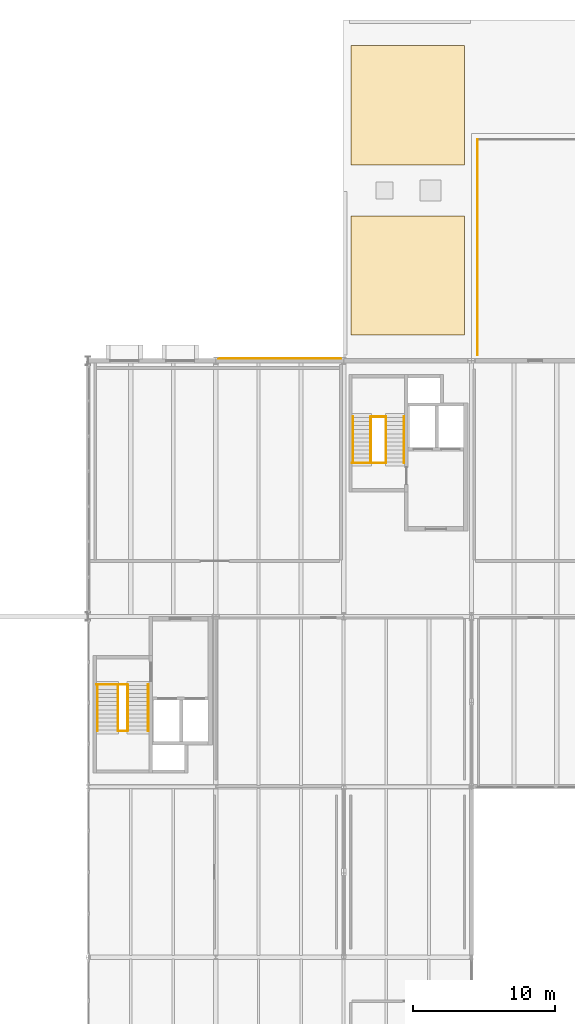
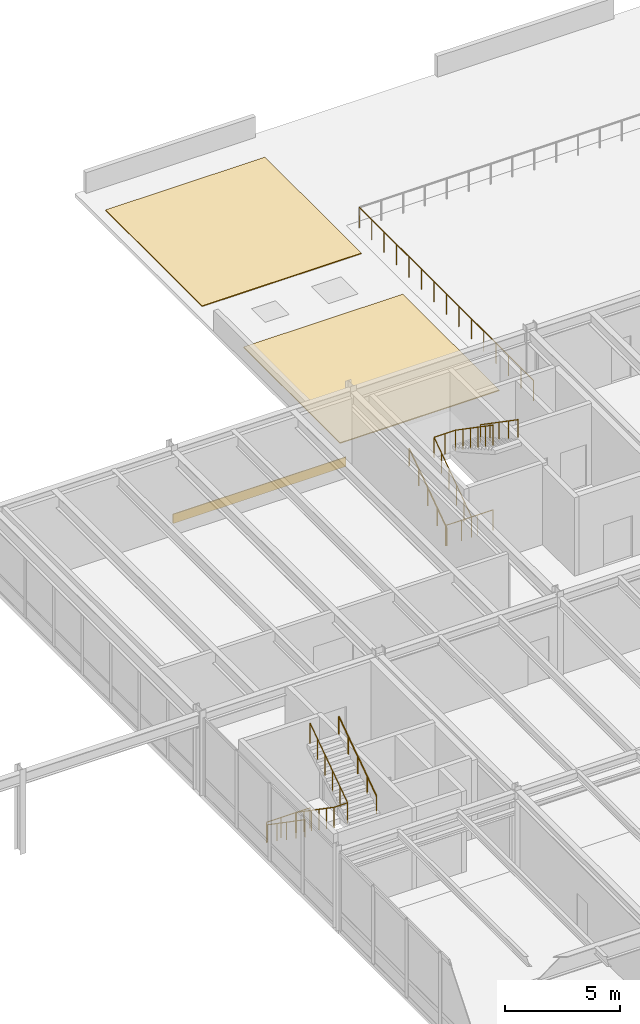
# One storey, part 114 of 115: 13 railings, 3 coverings.
"""IFC4 building model written with IfcOpenShell, lengths in metres."""

from ifc_helpers import new_model, si_unit, direction, frame, origin, origin_2d, place, context, subcontext, project, spatial, polyline, rectangle, circle, outline, extrude, material, layer, layer_set, type_object, element, save


model = new_model("IFC4")

# Units and contexts
model_context = context("Model", 3, precision=1e-05, world=origin(), true_north=direction((0.0, 1.0)))
body_context = subcontext(model_context, "Body", "Model", "MODEL_VIEW")
ifc_project = project(units=[si_unit("LENGTHUNIT", "METRE"), si_unit("AREAUNIT", "SQUARE_METRE"), si_unit("VOLUMEUNIT", "CUBIC_METRE"), si_unit("PLANEANGLEUNIT", "RADIAN"), si_unit("MASSUNIT", "GRAM", prefix="KILO")], contexts=[model_context])

# Site, building, storey
site_placement = place(None, origin())
site = spatial("IfcSite", under=ifc_project, at=site_placement, CompositionType="ELEMENT")
building_placement = place(site_placement, origin())
building = spatial("IfcBuilding", under=site, at=building_placement, Name="Montelvaro Courts of Justice", CompositionType="ELEMENT")
storey_placement = place(building_placement, frame((0.0, 0.0, 9.89990234375)))
storey = spatial("IfcBuildingStorey", under=building, at=storey_placement, Name="L02", CompositionType="ELEMENT", Elevation=9.89990234375)

# Covering
ifc_material_1 = material(Name="White mineral precast concrete C45/55", Category="concrete")
ifc_layer_1 = layer(ifc_material_1, 0.0400390625)
ifc_layer_set_1 = layer_set([ifc_layer_1], Name="White mineral precast concrete C45/55")
covering_type_1 = type_object("IfcCoveringType", Name="BarCladding_GFRC", PredefinedType="CLADDING", material=ifc_layer_set_1)
covering_1_placement = place(storey_placement, frame((112.5, 96.162109375, 0.030029296875), z_axis=(0.0, 0.0, 1.0), x_axis=(-1.0, 0.0, 0.0)))
element("IfcCovering", 1, at=covering_1_placement, inside=storey, type_object=covering_type_1, Name="Horizontal White Bar Spandrel Cladding CL-01-011", PredefinedType="CLADDING", context=body_context, shape_type="SweptSolid", body=[
    extrude(rectangle(XDim=8.68408203125, YDim=0.0400390625, at=origin_2d()), origin(), (0.0, 0.0, 1.0), 0.5),
])

# Railings
ifc_material_2 = material(Name="Steel S355", Category="steel")
railing_type_1 = type_object("IfcRailingType", Name="InteriorGuard_1100", PredefinedType="BALUSTRADE", material=ifc_material_2)
railing_1_placement = place(storey_placement, frame((117.60009765625, 88.800048828125, 0.0)))
element("IfcRailing", 2, at=railing_1_placement, inside=storey, type_object=railing_type_1, Name="Stair Well Guard GR-02 ST-K3-L01-TLG", PredefinedType="BALUSTRADE", context=body_context, shape_type="SweptSolid", body=[
    extrude(circle(Radius=0.02392578125, at=origin_2d()), frame((0.0, 0.0, 1.076171875), z_axis=(1.0, 0.0, 0.0), x_axis=(0.0, 1.0, 0.0)), (0.0, 0.0, 1.0), 2.389892578125),
    extrude(circle(Radius=0.02099609375, at=origin_2d()), origin(), (0.0, 0.0, 1.0), 1.052001953125),
    extrude(circle(Radius=0.02099609375, at=origin_2d()), frame((0.796630859375, 0.0, 0.0)), (0.0, 0.0, 1.0), 1.052001953125),
    extrude(circle(Radius=0.02099609375, at=origin_2d()), frame((1.59326171875, 0.0, 0.0)), (0.0, 0.0, 1.0), 1.052001953125),
    extrude(circle(Radius=0.02099609375, at=origin_2d()), frame((2.389892578125, 0.0, 0.0)), (0.0, 0.0, 1.0), 1.052001953125),
])
railing_2_placement = place(storey_placement, frame((118.909912109375, 88.800048828125, 0.0)))
element("IfcRailing", 3, at=railing_2_placement, inside=storey, type_object=railing_type_1, Name="Stair Well Guard GR-02 ST-K3-L02-F1G", PredefinedType="BALUSTRADE", context=body_context, shape_type="SweptSolid", body=[
    extrude(circle(Radius=0.02392578125, at=origin_2d()), frame((0.0, 0.0, 1.076171875), z_axis=(0.0, 0.823407228882, 0.567450910146), x_axis=(-1.0, 0.0, 0.0)), (0.0, 0.0, 1.0), 3.965087890625),
    extrude(circle(Radius=0.02099609375, at=origin_2d()), origin(), (0.0, 0.0, 1.0), 1.052001953125),
    extrude(circle(Radius=0.02099609375, at=origin_2d()), frame((0.0, 0.653076171875, 0.449951171875)), (0.0, 0.0, 1.0), 1.052001953125),
    extrude(circle(Radius=0.02099609375, at=origin_2d()), frame((0.0, 1.305908203125, 0.89990234375)), (0.0, 0.0, 1.0), 1.052001953125),
    extrude(circle(Radius=0.02099609375, at=origin_2d()), frame((0.0, 1.958984375, 1.35009765625)), (0.0, 0.0, 1.0), 1.052001953125),
    extrude(circle(Radius=0.02099609375, at=origin_2d()), frame((0.0, 2.61181640625, 1.800048828125)), (0.0, 0.0, 1.0), 1.052001953125),
    extrude(circle(Radius=0.02099609375, at=origin_2d()), frame((0.0, 3.264892578125, 2.25)), (0.0, 0.0, 1.0), 1.052001953125),
])
railing_3_placement = place(storey_placement, frame((119.989990234375, 92.06494140625, 2.25)))
element("IfcRailing", 4, at=railing_3_placement, inside=storey, type_object=railing_type_1, Name="Stair Well Guard GR-02 ST-K3-L02-F2G", PredefinedType="BALUSTRADE", context=body_context, shape_type="SweptSolid", body=[
    extrude(circle(Radius=0.02392578125, at=origin_2d()), frame((0.0, 0.0, 1.076171875), z_axis=(0.0, -0.823407228882, 0.567450910146), x_axis=(1.0, 0.0, 0.0)), (0.0, 0.0, 1.0), 3.965087890625),
    extrude(circle(Radius=0.02099609375, at=origin_2d()), origin(), (0.0, 0.0, 1.0), 1.052001953125),
    extrude(circle(Radius=0.02099609375, at=origin_2d()), frame((0.0, -0.653076171875, 0.449951171875)), (0.0, 0.0, 1.0), 1.052001953125),
    extrude(circle(Radius=0.02099609375, at=origin_2d()), frame((0.0, -1.305908203125, 0.89990234375)), (0.0, 0.0, 1.0), 1.052001953125),
    extrude(circle(Radius=0.02099609375, at=origin_2d()), frame((0.0, -1.958984375, 1.35009765625)), (0.0, 0.0, 1.0), 1.052001953125),
    extrude(circle(Radius=0.02099609375, at=origin_2d()), frame((0.0, -2.61181640625, 1.800048828125)), (0.0, 0.0, 1.0), 1.052001953125),
    extrude(circle(Radius=0.02099609375, at=origin_2d()), frame((0.0, -3.264892578125, 2.25)), (0.0, 0.0, 1.0), 1.052001953125),
])
railing_4_placement = place(storey_placement, frame((118.909912109375, 92.06494140625, 2.25)))
element("IfcRailing", 5, at=railing_4_placement, inside=storey, type_object=railing_type_1, Name="Stair Well Guard GR-02 ST-K3-L02-MLG", PredefinedType="BALUSTRADE", context=body_context, shape_type="SweptSolid", body=[
    extrude(circle(Radius=0.02392578125, at=origin_2d()), frame((0.0, 0.0, 1.076171875), z_axis=(1.0, 0.0, 0.0), x_axis=(0.0, 1.0, 0.0)), (0.0, 0.0, 1.0), 1.080078125),
    extrude(circle(Radius=0.02099609375, at=origin_2d()), origin(), (0.0, 0.0, 1.0), 1.052001953125),
    extrude(circle(Radius=0.02099609375, at=origin_2d()), frame((0.5400390625, 0.0, 0.0)), (0.0, 0.0, 1.0), 1.052001953125),
    extrude(circle(Radius=0.02099609375, at=origin_2d()), frame((1.080078125, 0.0, 0.0)), (0.0, 0.0, 1.0), 1.052001953125),
])
railing_5_placement = place(storey_placement, frame((99.60009765625, 73.199951171875, 0.0)))
element("IfcRailing", 6, at=railing_5_placement, inside=storey, type_object=railing_type_1, Name="Stair Well Guard GR-02 ST-K4-L01-TLG", PredefinedType="BALUSTRADE", context=body_context, shape_type="SweptSolid", body=[
    extrude(circle(Radius=0.02392578125, at=origin_2d()), frame((0.0, 0.0, 1.076171875), z_axis=(1.0, 0.0, 0.0), x_axis=(0.0, 1.0, 0.0)), (0.0, 0.0, 1.0), 2.18994140625),
    extrude(circle(Radius=0.02099609375, at=origin_2d()), origin(), (0.0, 0.0, 1.0), 1.052001953125),
    extrude(circle(Radius=0.02099609375, at=origin_2d()), frame((0.72998046875, 0.0, 0.0)), (0.0, 0.0, 1.0), 1.052001953125),
    extrude(circle(Radius=0.02099609375, at=origin_2d()), frame((1.4599609375, 0.0, 0.0)), (0.0, 0.0, 1.0), 1.052001953125),
    extrude(circle(Radius=0.02099609375, at=origin_2d()), frame((2.18994140625, 0.0, 0.0)), (0.0, 0.0, 1.0), 1.052001953125),
])
railing_6_placement = place(storey_placement, frame((101.110107421875, 73.199951171875, 0.0)))
element("IfcRailing", 7, at=railing_6_placement, inside=storey, type_object=railing_type_1, Name="Stair Well Guard GR-02 ST-K4-L02-F1G", PredefinedType="BALUSTRADE", context=body_context, shape_type="SweptSolid", body=[
    extrude(circle(Radius=0.02392578125, at=origin_2d()), frame((0.0, 0.0, 1.076171875), z_axis=(0.0, -0.823407228882, 0.567450910146), x_axis=(1.0, 0.0, 0.0)), (0.0, 0.0, 1.0), 3.965087890625),
    extrude(circle(Radius=0.02099609375, at=origin_2d()), origin(), (0.0, 0.0, 1.0), 1.052001953125),
    extrude(circle(Radius=0.02099609375, at=origin_2d()), frame((0.0, -0.653076171875, 0.449951171875)), (0.0, 0.0, 1.0), 1.052001953125),
    extrude(circle(Radius=0.02099609375, at=origin_2d()), frame((0.0, -1.305908203125, 0.89990234375)), (0.0, 0.0, 1.0), 1.052001953125),
    extrude(circle(Radius=0.02099609375, at=origin_2d()), frame((0.0, -1.958984375, 1.35009765625)), (0.0, 0.0, 1.0), 1.052001953125),
    extrude(circle(Radius=0.02099609375, at=origin_2d()), frame((0.0, -2.61181640625, 1.800048828125)), (0.0, 0.0, 1.0), 1.052001953125),
    extrude(circle(Radius=0.02099609375, at=origin_2d()), frame((0.0, -3.264892578125, 2.25)), (0.0, 0.0, 1.0), 1.052001953125),
])
railing_7_placement = place(storey_placement, frame((101.7900390625, 69.93505859375, 2.25)))
element("IfcRailing", 8, at=railing_7_placement, inside=storey, type_object=railing_type_1, Name="Stair Well Guard GR-02 ST-K4-L02-F2G", PredefinedType="BALUSTRADE", context=body_context, shape_type="SweptSolid", body=[
    extrude(circle(Radius=0.02392578125, at=origin_2d()), frame((0.0, 0.0, 1.076171875), z_axis=(0.0, 0.823407228882, 0.567450910146), x_axis=(-1.0, 0.0, 0.0)), (0.0, 0.0, 1.0), 3.965087890625),
    extrude(circle(Radius=0.02099609375, at=origin_2d()), origin(), (0.0, 0.0, 1.0), 1.052001953125),
    extrude(circle(Radius=0.02099609375, at=origin_2d()), frame((0.0, 0.653076171875, 0.449951171875)), (0.0, 0.0, 1.0), 1.052001953125),
    extrude(circle(Radius=0.02099609375, at=origin_2d()), frame((0.0, 1.305908203125, 0.89990234375)), (0.0, 0.0, 1.0), 1.052001953125),
    extrude(circle(Radius=0.02099609375, at=origin_2d()), frame((0.0, 1.958984375, 1.35009765625)), (0.0, 0.0, 1.0), 1.052001953125),
    extrude(circle(Radius=0.02099609375, at=origin_2d()), frame((0.0, 2.61181640625, 1.800048828125)), (0.0, 0.0, 1.0), 1.052001953125),
    extrude(circle(Radius=0.02099609375, at=origin_2d()), frame((0.0, 3.264892578125, 2.25)), (0.0, 0.0, 1.0), 1.052001953125),
])
railing_8_placement = place(storey_placement, frame((101.110107421875, 69.93505859375, 2.25)))
element("IfcRailing", 9, at=railing_8_placement, inside=storey, type_object=railing_type_1, Name="Stair Well Guard GR-02 ST-K4-L02-MLG", PredefinedType="BALUSTRADE", context=body_context, shape_type="SweptSolid", body=[
    extrude(circle(Radius=0.02392578125, at=origin_2d()), frame((0.0, 0.0, 1.076171875), z_axis=(1.0, 0.0, 0.0), x_axis=(0.0, 1.0, 0.0)), (0.0, 0.0, 1.0), 0.679931640625),
    extrude(circle(Radius=0.02099609375, at=origin_2d()), origin(), (0.0, 0.0, 1.0), 1.052001953125),
    extrude(circle(Radius=0.02099609375, at=origin_2d()), frame((0.679931640625, 0.0, 0.0)), (0.0, 0.0, 1.0), 1.052001953125),
])
ifc_material_3 = material(Name="Austenitic stainless steel EN 1.4401", Category="steel")
railing_type_2 = type_object("IfcRailingType", Name="StairHandrail_950", PredefinedType="HANDRAIL", material=ifc_material_3)
railing_9_placement = place(storey_placement, frame((117.659912109375, 88.800048828125, 0.0)))
element("IfcRailing", 10, at=railing_9_placement, inside=storey, type_object=railing_type_2, Name="Stair Pitch Handrail HR-01 ST-K3-L02-F1H", PredefinedType="HANDRAIL", context=body_context, shape_type="SweptSolid", body=[
    extrude(circle(Radius=0.02392578125, at=origin_2d()), frame((0.0, 0.0, 0.92578125), z_axis=(0.0, 0.823407228882, 0.567450910146), x_axis=(-1.0, 0.0, 0.0)), (0.0, 0.0, 1.0), 3.965087890625),
    extrude(circle(Radius=0.02099609375, at=origin_2d()), origin(), (0.0, 0.0, 1.0), 0.90185546875),
    extrude(circle(Radius=0.02099609375, at=origin_2d()), frame((0.0, 0.816162109375, 0.5625)), (0.0, 0.0, 1.0), 0.90185546875),
    extrude(circle(Radius=0.02099609375, at=origin_2d()), frame((0.0, 1.63232421875, 1.125)), (0.0, 0.0, 1.0), 0.90185546875),
    extrude(circle(Radius=0.02099609375, at=origin_2d()), frame((0.0, 2.44873046875, 1.6875)), (0.0, 0.0, 1.0), 0.90185546875),
    extrude(circle(Radius=0.02099609375, at=origin_2d()), frame((0.0, 3.264892578125, 2.25)), (0.0, 0.0, 1.0), 0.90185546875),
])
for number, where, name in (
    (11, (121.239990234375, 92.06494140625, 2.25), "Stair Pitch Handrail HR-01 ST-K3-L02-F2H"),
    (12, (99.659912109375, 73.199951171875, 0.0), "Stair Pitch Handrail HR-01 ST-K4-L02-F1H"),
):
    element("IfcRailing", number, at=place(storey_placement, frame(where)), inside=storey, type_object=railing_type_2, Name=name, PredefinedType="HANDRAIL", context=body_context, shape_type="SweptSolid", body=[
        extrude(circle(Radius=0.02392578125, at=origin_2d()), frame((0.0, 0.0, 0.92578125), z_axis=(0.0, -0.823407228882, 0.567450910146), x_axis=(1.0, 0.0, 0.0)), (0.0, 0.0, 1.0), 3.965087890625),
        extrude(circle(Radius=0.02099609375, at=origin_2d()), origin(), (0.0, 0.0, 1.0), 0.90185546875),
        extrude(circle(Radius=0.02099609375, at=origin_2d()), frame((0.0, -0.816162109375, 0.5625)), (0.0, 0.0, 1.0), 0.90185546875),
        extrude(circle(Radius=0.02099609375, at=origin_2d()), frame((0.0, -1.63232421875, 1.125)), (0.0, 0.0, 1.0), 0.90185546875),
        extrude(circle(Radius=0.02099609375, at=origin_2d()), frame((0.0, -2.44873046875, 1.6875)), (0.0, 0.0, 1.0), 0.90185546875),
        extrude(circle(Radius=0.02099609375, at=origin_2d()), frame((0.0, -3.264892578125, 2.25)), (0.0, 0.0, 1.0), 0.90185546875),
    ])
railing_10_placement = place(storey_placement, frame((103.239990234375, 69.93505859375, 2.25)))
element("IfcRailing", 13, at=railing_10_placement, inside=storey, type_object=railing_type_2, Name="Stair Pitch Handrail HR-01 ST-K4-L02-F2H", PredefinedType="HANDRAIL", context=body_context, shape_type="SweptSolid", body=[
    extrude(circle(Radius=0.02392578125, at=origin_2d()), frame((0.0, 0.0, 0.92578125), z_axis=(0.0, 0.823407228882, 0.567450910146), x_axis=(-1.0, 0.0, 0.0)), (0.0, 0.0, 1.0), 3.965087890625),
    extrude(circle(Radius=0.02099609375, at=origin_2d()), origin(), (0.0, 0.0, 1.0), 0.90185546875),
    extrude(circle(Radius=0.02099609375, at=origin_2d()), frame((0.0, 0.816162109375, 0.5625)), (0.0, 0.0, 1.0), 0.90185546875),
    extrude(circle(Radius=0.02099609375, at=origin_2d()), frame((0.0, 1.63232421875, 1.125)), (0.0, 0.0, 1.0), 0.90185546875),
    extrude(circle(Radius=0.02099609375, at=origin_2d()), frame((0.0, 2.44873046875, 1.6875)), (0.0, 0.0, 1.0), 0.90185546875),
    extrude(circle(Radius=0.02099609375, at=origin_2d()), frame((0.0, 3.264892578125, 2.25)), (0.0, 0.0, 1.0), 0.90185546875),
])

# Coverings
ifc_material_4 = material(Name="Standing seam zinc roofing", Category="steel")
ifc_layer_2 = layer(ifc_material_4, 0.050048828125)
ifc_layer_set_2 = layer_set([ifc_layer_2], Name="Standing seam zinc roofing")
covering_type_2 = type_object("IfcCoveringType", Name="StandingSeamRoofing", PredefinedType="ROOFING", material=ifc_layer_set_2)
covering_2_placement = place(storey_placement, origin())
element("IfcCovering", 14, at=covering_2_placement, inside=storey, type_object=covering_type_2, Name="Roof Standing Seam Covering RCV-01 SLB-L02-V6ROOF-1", PredefinedType="ROOFING", context=body_context, shape_type="SweptSolid", body=[
    extrude(outline(polyline([(117.5, 97.800048828125), (125.5, 97.800048828125), (125.5, 106.199951171875), (117.5, 106.199951171875), (117.5, 97.800048828125)])), origin(), (0.0, 0.0, 1.0), 0.050048828125),
])
covering_3_placement = place(storey_placement, origin())
element("IfcCovering", 15, at=covering_3_placement, inside=storey, type_object=covering_type_2, Name="Roof Standing Seam Covering RCV-01 SLB-L02-V6ROOF-2", PredefinedType="ROOFING", context=body_context, shape_type="SweptSolid", body=[
    extrude(outline(polyline([(117.5, 109.800048828125), (125.5, 109.800048828125), (125.5, 118.199951171875), (117.5, 118.199951171875), (117.5, 109.800048828125)])), origin(), (0.0, 0.0, 1.0), 0.050048828125),
])

# Railing
railing_type_3 = type_object("IfcRailingType", Name="TerraceGuard_1100", PredefinedType="BALUSTRADE", material=ifc_material_2)
railing_11_placement = place(storey_placement, frame((126.419921875, 111.580078125, 0.0)))
element("IfcRailing", 16, at=railing_11_placement, inside=storey, type_object=railing_type_3, Name="Terrace Balustrade Guard GR-01 (L02)", PredefinedType="BALUSTRADE", context=body_context, shape_type="SweptSolid", body=[
    extrude(circle(Radius=0.02392578125, at=origin_2d()), frame((0.0, 0.0, 1.076171875), z_axis=(0.0, -1.0, 0.0), x_axis=(1.0, 0.0, 0.0)), (0.0, 0.0, 1.0), 15.16015625),
    extrude(circle(Radius=0.02099609375, at=origin_2d()), origin(), (0.0, 0.0, 1.0), 1.052001953125),
    extrude(circle(Radius=0.02099609375, at=origin_2d()), frame((0.0, -1.082763671875, 0.0)), (0.0, 0.0, 1.0), 1.052001953125),
    extrude(circle(Radius=0.02099609375, at=origin_2d()), frame((0.0, -2.165771484375, 0.0)), (0.0, 0.0, 1.0), 1.052001953125),
    extrude(circle(Radius=0.02099609375, at=origin_2d()), frame((0.0, -3.24853515625, 0.0)), (0.0, 0.0, 1.0), 1.052001953125),
    extrude(circle(Radius=0.02099609375, at=origin_2d()), frame((0.0, -4.33154296875, 0.0)), (0.0, 0.0, 1.0), 1.052001953125),
    extrude(circle(Radius=0.02099609375, at=origin_2d()), frame((0.0, -5.414306640625, 0.0)), (0.0, 0.0, 1.0), 1.052001953125),
    extrude(circle(Radius=0.02099609375, at=origin_2d()), frame((0.0, -6.497314453125, 0.0)), (0.0, 0.0, 1.0), 1.052001953125),
    extrude(circle(Radius=0.02099609375, at=origin_2d()), frame((0.0, -7.580078125, 0.0)), (0.0, 0.0, 1.0), 1.052001953125),
    extrude(circle(Radius=0.02099609375, at=origin_2d()), frame((0.0, -8.662841796875, 0.0)), (0.0, 0.0, 1.0), 1.052001953125),
    extrude(circle(Radius=0.02099609375, at=origin_2d()), frame((0.0, -9.745849609375, 0.0)), (0.0, 0.0, 1.0), 1.052001953125),
    extrude(circle(Radius=0.02099609375, at=origin_2d()), frame((0.0, -10.82861328125, 0.0)), (0.0, 0.0, 1.0), 1.052001953125),
    extrude(circle(Radius=0.02099609375, at=origin_2d()), frame((0.0, -11.91162109375, 0.0)), (0.0, 0.0, 1.0), 1.052001953125),
    extrude(circle(Radius=0.02099609375, at=origin_2d()), frame((0.0, -12.994384765625, 0.0)), (0.0, 0.0, 1.0), 1.052001953125),
    extrude(circle(Radius=0.02099609375, at=origin_2d()), frame((0.0, -14.077392578125, 0.0)), (0.0, 0.0, 1.0), 1.052001953125),
    extrude(circle(Radius=0.02099609375, at=origin_2d()), frame((0.0, -15.16015625, 0.0)), (0.0, 0.0, 1.0), 1.052001953125),
])

save(model, "model.ifc")
